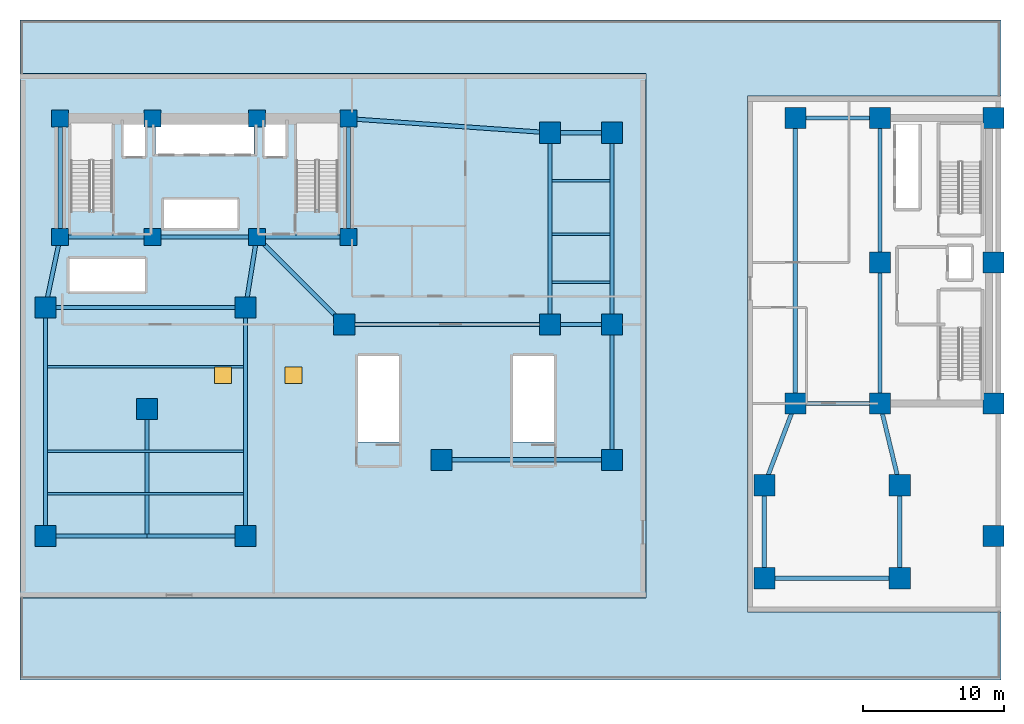
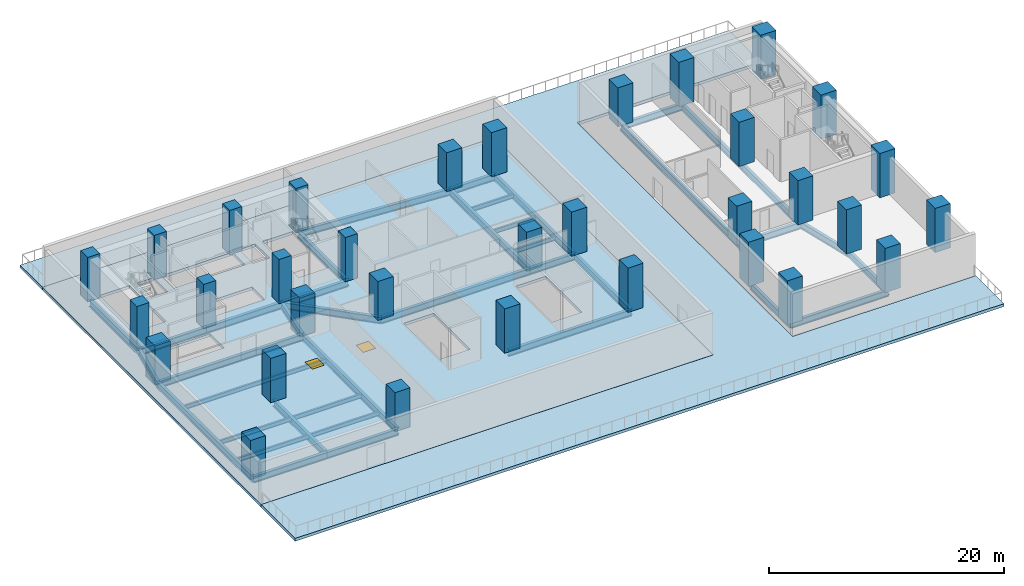
# One storey, part 1 of 9: 38 beams, 33 columns, 2 slabs, 2 windows, 2 openings.
"""IFC4 building model written with IfcOpenShell, lengths in metres."""

from ifc_helpers import new_model, si_unit, direction, frame, origin, origin_2d, place, context, subcontext, project, spatial, polyline, rectangle, i_section, outline, extrude, material, layer, layer_set, material_profile, profile_set, type_object, element, fill, save


model = new_model("IFC4")

# Units and contexts
model_context = context("Model", 3, precision=1e-05, world=origin(), true_north=direction((0.0, 1.0)))
body_context = subcontext(model_context, "Body", "Model", "MODEL_VIEW")
ifc_project = project(units=[si_unit("LENGTHUNIT", "METRE"), si_unit("AREAUNIT", "SQUARE_METRE"), si_unit("VOLUMEUNIT", "CUBIC_METRE"), si_unit("PLANEANGLEUNIT", "RADIAN"), si_unit("MASSUNIT", "GRAM", prefix="KILO")], contexts=[model_context])

# Site, building, storey
site_placement = place(None, origin())
site = spatial("IfcSite", under=ifc_project, at=site_placement, CompositionType="ELEMENT")
building_placement = place(site_placement, origin())
building = spatial("IfcBuilding", under=site, at=building_placement, Name="Kuzgunbayir Cultural Tower", CompositionType="ELEMENT")
storey_placement = place(building_placement, frame((0.0, 0.0, 21.800048828125)))
storey = spatial("IfcBuildingStorey", under=building, at=storey_placement, Name="L05", CompositionType="ELEMENT", Elevation=21.800048828125)

# Columns
ifc_material_1 = material(Name="Concrete C60/75", Category="concrete")
ifc_material_profile_1 = material_profile(ifc_material_1, rectangle(XDim=1.199951171875, YDim=1.199951171875, at=origin_2d()), Name="RC 1200x1200")
ifc_profile_set_1 = profile_set([ifc_material_profile_1], Name="Concrete C60/75")
column_type_1 = type_object("IfcColumnType", Name="COL-CORE-1200", PredefinedType="COLUMN", material=ifc_profile_set_1)
for number, where, z_axis, x_axis, name in (
    (1, (6.449951171875, 33.800048828125, 0.0), (0.0, 0.0, 1.0), (1.0, 0.0, 0.0), "L05 T1 Core Boundary Column CC1-1"),
    (2, (13.0, 33.800048828125, 0.0), (0.0, 0.0, 1.0), (1.0, 0.0, 0.0), "L05 T1 Core Boundary Column CC1-2"),
    (3, (20.39990234375, 33.800048828125, 0.0), (0.0, 0.0, 1.0), (1.0, 0.0, 0.0), "L05 T1 Core Boundary Column CC1-3"),
    (4, (26.89990234375, 33.800048828125, 0.0), (0.0, 0.0, 1.0), (1.0, 0.0, 0.0), "L05 T1 Core Boundary Column CC1-4"),
    (5, (6.449951171875, 42.199951171875, 0.0), (0.0, 0.0, 1.0), (1.0, 0.0, 0.0), "L05 T1 Core Boundary Column CC1-5"),
    (6, (13.0, 42.199951171875, 0.0), (0.0, 0.0, 1.0), (1.0, 0.0, 0.0), "L05 T1 Core Boundary Column CC1-6"),
    (7, (20.39990234375, 42.199951171875, 0.0), (0.0, 0.0, 1.0), (1.0, 0.0, 0.0), "L05 T1 Core Boundary Column CC1-7"),
    (8, (26.89990234375, 42.199951171875, 0.0), (0.0, 0.0, 1.0), (1.0, 0.0, 0.0), "L05 T1 Core Boundary Column CC1-8"),
):
    element("IfcColumn", number, at=place(storey_placement, frame(where, z_axis=z_axis, x_axis=x_axis)), inside=storey, type_object=column_type_1, Name=name, PredefinedType="COLUMN", context=body_context, shape_type="SweptSolid", body=[
        extrude(rectangle(XDim=1.199951171875, YDim=1.199951171875, at=origin_2d()), origin(), (0.0, 0.0, 1.0), 4.599853515625),
    ])
ifc_material_profile_2 = material_profile(ifc_material_1, rectangle(XDim=1.5, YDim=1.5, at=origin_2d()), Name="RC 1500x1500")
ifc_profile_set_2 = profile_set([ifc_material_profile_2], Name="Concrete C60/75")
column_type_2 = type_object("IfcColumnType", Name="COL-MEGA-1500", PredefinedType="COLUMN", material=ifc_profile_set_2)
for number, where, z_axis, x_axis, name in (
    (9, (64.60009765625, 22.0, 0.0), (0.0, 0.0, 1.0), (1.0, 0.0, 0.0), "L05 T2 Core Boundary Column CC2-1"),
    (10, (72.64990234375, 22.0, 0.0), (0.0, 0.0, 1.0), (1.0, 0.0, 0.0), "L05 T2 Core Boundary Column CC2-2"),
    (11, (64.60009765625, 32.0, 0.0), (0.0, 0.0, 1.0), (1.0, 0.0, 0.0), "L05 T2 Core Boundary Column CC2-3"),
    (12, (72.64990234375, 32.0, 0.0), (0.0, 0.0, 1.0), (1.0, 0.0, 0.0), "L05 T2 Core Boundary Column CC2-4"),
    (13, (64.60009765625, 42.25, 0.0), (0.0, 0.0, 1.0), (1.0, 0.0, 0.0), "L05 T2 Core Boundary Column CC2-5"),
    (14, (72.64990234375, 42.25, 0.0), (0.0, 0.0, 1.0), (1.0, 0.0, 0.0), "L05 T2 Core Boundary Column CC2-6"),
):
    element("IfcColumn", number, at=place(storey_placement, frame(where, z_axis=z_axis, x_axis=x_axis)), inside=storey, type_object=column_type_2, Name=name, PredefinedType="COLUMN", context=body_context, shape_type="SweptSolid", body=[
        extrude(rectangle(XDim=1.5, YDim=1.5, at=origin_2d()), origin(), (0.0, 0.0, 1.0), 4.599853515625),
    ])
for number, where, z_axis, x_axis, name in (
    (15, (5.39990234375, 12.60009765625, 0.0), (0.0, 0.0, 1.0), (1.0, 0.0, 0.0), "L05 Podium Mega-Column PC-T1A-SW"),
    (16, (19.60009765625, 12.60009765625, 0.0), (0.0, 0.0, 1.0), (1.0, 0.0, 0.0), "L05 Podium Mega-Column PC-T1A-SE"),
    (17, (5.39990234375, 28.800048828125, 0.0), (0.0, 0.0, 1.0), (1.0, 0.0, 0.0), "L05 Podium Mega-Column PC-T1A-NW"),
    (18, (19.60009765625, 28.800048828125, 0.0), (0.0, 0.0, 1.0), (1.0, 0.0, 0.0), "L05 Podium Mega-Column PC-T1A-NE"),
    (19, (26.60009765625, 27.60009765625, 0.0), (0.0, 0.0, 1.0), (1.0, 0.0, 0.0), "L05 Podium Mega-Column PC-T1B-1S"),
    (20, (41.199951171875, 27.60009765625, 0.0), (0.0, 0.0, 1.0), (1.0, 0.0, 0.0), "L05 Podium Mega-Column PC-T1B-4S"),
):
    element("IfcColumn", number, at=place(storey_placement, frame(where, z_axis=z_axis, x_axis=x_axis)), inside=storey, type_object=column_type_2, Name=name, PredefinedType="COLUMN", context=body_context, shape_type="SweptSolid", body=[
        extrude(rectangle(XDim=1.5, YDim=1.5, at=origin_2d()), origin(), (0.0, 0.0, 1.0), 4.050048828125),
    ])
column_1_placement = place(storey_placement, frame((45.60009765625, 27.60009765625, 0.0), z_axis=(0.0, 0.0, 1.0), x_axis=(1.0, 0.0, 0.0)))
element("IfcColumn", 21, at=column_1_placement, inside=storey, type_object=column_type_2, Name="L05 Podium Mega-Column PC-T1B-5S", PredefinedType="COLUMN", context=body_context, shape_type="SweptSolid", body=[
    extrude(rectangle(XDim=1.5, YDim=1.5, at=origin_2d()), origin(), (0.0, 0.0, 1.0), 4.599853515625),
])
column_2_placement = place(storey_placement, frame((41.199951171875, 41.199951171875, 0.0), z_axis=(0.0, 0.0, 1.0), x_axis=(1.0, 0.0, 0.0)))
element("IfcColumn", 22, at=column_2_placement, inside=storey, type_object=column_type_2, Name="L05 Podium Mega-Column PC-T1B-4N", PredefinedType="COLUMN", context=body_context, shape_type="SweptSolid", body=[
    extrude(rectangle(XDim=1.5, YDim=1.5, at=origin_2d()), origin(), (0.0, 0.0, 1.0), 4.050048828125),
])
column_3_placement = place(storey_placement, frame((45.60009765625, 41.199951171875, 0.0), z_axis=(0.0, 0.0, 1.0), x_axis=(1.0, 0.0, 0.0)))
element("IfcColumn", 23, at=column_3_placement, inside=storey, type_object=column_type_2, Name="L05 Podium Mega-Column PC-T1B-5N", PredefinedType="COLUMN", context=body_context, shape_type="SweptSolid", body=[
    extrude(rectangle(XDim=1.5, YDim=1.5, at=origin_2d()), origin(), (0.0, 0.0, 1.0), 4.599853515625),
])
for number, where, z_axis, x_axis, name in (
    (24, (58.60009765625, 22.0, 0.0), (0.0, 0.0, 1.0), (1.0, 0.0, 0.0), "L05 Podium Mega-Column PC-T2A-SW"),
    (25, (58.60009765625, 42.25, 0.0), (0.0, 0.0, 1.0), (1.0, 0.0, 0.0), "L05 Podium Mega-Column PC-T2A-NW"),
):
    element("IfcColumn", number, at=place(storey_placement, frame(where, z_axis=z_axis, x_axis=x_axis)), inside=storey, type_object=column_type_2, Name=name, PredefinedType="COLUMN", context=body_context, shape_type="SweptSolid", body=[
        extrude(rectangle(XDim=1.5, YDim=1.5, at=origin_2d()), origin(), (0.0, 0.0, 1.0), 4.050048828125),
    ])
for number, where, z_axis, x_axis, name in (
    (26, (56.39990234375, 9.60009765625, 0.0), (0.0, 0.0, 1.0), (1.0, 0.0, 0.0), "L05 Podium Mega-Column PC-T2B-SW"),
    (27, (66.0, 9.60009765625, 0.0), (0.0, 0.0, 1.0), (1.0, 0.0, 0.0), "L05 Podium Mega-Column PC-T2B-SE"),
    (28, (56.39990234375, 16.199951171875, 0.0), (0.0, 0.0, 1.0), (1.0, 0.0, 0.0), "L05 Podium Mega-Column PC-T2B-MW"),
    (29, (66.0, 16.199951171875, 0.0), (0.0, 0.0, 1.0), (1.0, 0.0, 0.0), "L05 Podium Mega-Column PC-T2B-ME"),
    (30, (12.60009765625, 21.60009765625, 0.0), (0.0, 0.0, 1.0), (1.0, 0.0, 0.0), "L05 Podium Mega-Column PC-P09"),
    (31, (33.5, 18.0, 0.0), (0.0, 0.0, 1.0), (1.0, 0.0, 0.0), "L05 Podium Mega-Column PC-P10"),
    (32, (45.60009765625, 18.0, 0.0), (0.0, 0.0, 1.0), (1.0, 0.0, 0.0), "L05 Podium Mega-Column PC-P11"),
    (33, (72.64990234375, 12.60009765625, 0.0), (0.0, 0.0, 1.0), (1.0, 0.0, 0.0), "L05 Podium Mega-Column PC-P12"),
):
    element("IfcColumn", number, at=place(storey_placement, frame(where, z_axis=z_axis, x_axis=x_axis)), inside=storey, type_object=column_type_2, Name=name, PredefinedType="COLUMN", context=body_context, shape_type="SweptSolid", body=[
        extrude(rectangle(XDim=1.5, YDim=1.5, at=origin_2d()), origin(), (0.0, 0.0, 1.0), 4.599853515625),
    ])

# Beams
ifc_material_2 = material(Name="Steel S355J2", Category="steel")
ifc_material_profile_3 = material_profile(ifc_material_2, i_section(OverallWidth=0.300048828125, OverallDepth=0.699951171875, WebThickness=0.01708984375, FlangeThickness=0.031982421875, FilletRadius=0.027099609375, at=origin_2d()), Name="HEB 700")
ifc_profile_set_3 = profile_set([ifc_material_profile_3], Name="Steel S355J2")
beam_type_1 = type_object("IfcBeamType", Name="BM-GIR-HEB700", PredefinedType="BEAM", material=ifc_profile_set_3)
beam_1_placement = place(storey_placement, frame((5.39990234375, 12.60009765625, -0.650146484375), z_axis=(1.0, 0.0, 0.0), x_axis=(0.0, 1.0, 0.0)))
element("IfcBeam", 34, at=beam_1_placement, inside=storey, type_object=beam_type_1, Name="L05 Podium Primary Girder 1", PredefinedType="BEAM", context=body_context, shape_type="SweptSolid", body=[
    extrude(i_section(OverallWidth=0.300048828125, OverallDepth=0.699951171875, WebThickness=0.01708984375, FlangeThickness=0.031982421875, FilletRadius=0.027099609375, at=origin_2d()), origin(), (0.0, 0.0, 1.0), 7.2001953125),
])
beam_2_placement = place(storey_placement, frame((12.60009765625, 12.60009765625, -0.650146484375), z_axis=(1.0, 0.0, 0.0), x_axis=(0.0, 1.0, 0.0)))
element("IfcBeam", 35, at=beam_2_placement, inside=storey, type_object=beam_type_1, Name="L05 Podium Primary Girder 2", PredefinedType="BEAM", context=body_context, shape_type="SweptSolid", body=[
    extrude(i_section(OverallWidth=0.300048828125, OverallDepth=0.699951171875, WebThickness=0.01708984375, FlangeThickness=0.031982421875, FilletRadius=0.027099609375, at=origin_2d()), origin(), (0.0, 0.0, 1.0), 7.0),
])
beam_3_placement = place(storey_placement, frame((5.39990234375, 28.800048828125, -0.650146484375), z_axis=(1.0, 0.0, 0.0), x_axis=(0.0, 1.0, 0.0)))
element("IfcBeam", 36, at=beam_3_placement, inside=storey, type_object=beam_type_1, Name="L05 Podium Primary Girder 3", PredefinedType="BEAM", context=body_context, shape_type="SweptSolid", body=[
    extrude(i_section(OverallWidth=0.300048828125, OverallDepth=0.699951171875, WebThickness=0.01708984375, FlangeThickness=0.031982421875, FilletRadius=0.027099609375, at=origin_2d()), origin(), (0.0, 0.0, 1.0), 14.2001953125),
])
for number, where, z_axis, x_axis, name in (
    (37, (5.39990234375, 12.60009765625, -0.650146484375), (0.0, 1.0, 0.0), (-1.0, 0.0, 0.0), "L05 Podium Primary Girder 4"),
    (38, (19.60009765625, 12.60009765625, -0.650146484375), (0.0, 1.0, 0.0), (-1.0, 0.0, 0.0), "L05 Podium Primary Girder 5"),
):
    element("IfcBeam", number, at=place(storey_placement, frame(where, z_axis=z_axis, x_axis=x_axis)), inside=storey, type_object=beam_type_1, Name=name, PredefinedType="BEAM", context=body_context, shape_type="SweptSolid", body=[
        extrude(i_section(OverallWidth=0.300048828125, OverallDepth=0.699951171875, WebThickness=0.01708984375, FlangeThickness=0.031982421875, FilletRadius=0.027099609375, at=origin_2d()), origin(), (0.0, 0.0, 1.0), 16.199951171875),
    ])
beam_4_placement = place(storey_placement, frame((12.60009765625, 12.60009765625, -0.650146484375), z_axis=(0.0, 1.0, 0.0), x_axis=(-1.0, 0.0, 0.0)))
element("IfcBeam", 39, at=beam_4_placement, inside=storey, type_object=beam_type_1, Name="L05 Podium Primary Girder 6", PredefinedType="BEAM", context=body_context, shape_type="SweptSolid", body=[
    extrude(i_section(OverallWidth=0.300048828125, OverallDepth=0.699951171875, WebThickness=0.01708984375, FlangeThickness=0.031982421875, FilletRadius=0.027099609375, at=origin_2d()), origin(), (0.0, 0.0, 1.0), 9.0),
])
beam_5_placement = place(storey_placement, frame((5.39990234375, 28.800048828125, -0.650146484375), z_axis=(0.205526387753, 0.978651574329, 0.0), x_axis=(-0.978651574329, 0.205526387753, 0.0)))
element("IfcBeam", 40, at=beam_5_placement, inside=storey, type_object=beam_type_1, Name="L05 Podium Primary Girder 7", PredefinedType="BEAM", context=body_context, shape_type="SweptSolid", body=[
    extrude(i_section(OverallWidth=0.300048828125, OverallDepth=0.699951171875, WebThickness=0.01708984375, FlangeThickness=0.031982421875, FilletRadius=0.027099609375, at=origin_2d()), origin(), (0.0, 0.0, 1.0), 5.109130859375),
])
beam_6_placement = place(storey_placement, frame((19.60009765625, 28.800048828125, -0.650146484375), z_axis=(0.157952891656, 0.987446648694, 0.0), x_axis=(-0.987446648694, 0.157952891656, 0.0)))
element("IfcBeam", 41, at=beam_6_placement, inside=storey, type_object=beam_type_1, Name="L05 Podium Primary Girder 8", PredefinedType="BEAM", context=body_context, shape_type="SweptSolid", body=[
    extrude(i_section(OverallWidth=0.300048828125, OverallDepth=0.699951171875, WebThickness=0.01708984375, FlangeThickness=0.031982421875, FilletRadius=0.027099609375, at=origin_2d()), origin(), (0.0, 0.0, 1.0), 5.0634765625),
])
beam_7_placement = place(storey_placement, frame((20.39990234375, 33.800048828125, -0.650146484375), z_axis=(0.707120702941, -0.707092859158, 0.0), x_axis=(0.707092859158, 0.707120702941, 0.0)))
element("IfcBeam", 42, at=beam_7_placement, inside=storey, type_object=beam_type_1, Name="L05 Podium Primary Girder 9", PredefinedType="BEAM", context=body_context, shape_type="SweptSolid", body=[
    extrude(i_section(OverallWidth=0.300048828125, OverallDepth=0.699951171875, WebThickness=0.01708984375, FlangeThickness=0.031982421875, FilletRadius=0.027099609375, at=origin_2d()), origin(), (0.0, 0.0, 1.0), 8.768310546875),
])
beam_8_placement = place(storey_placement, frame((26.60009765625, 27.60009765625, -0.650146484375), z_axis=(1.0, 0.0, 0.0), x_axis=(0.0, 1.0, 0.0)))
element("IfcBeam", 43, at=beam_8_placement, inside=storey, type_object=beam_type_1, Name="L05 Podium Primary Girder 10", PredefinedType="BEAM", context=body_context, shape_type="SweptSolid", body=[
    extrude(i_section(OverallWidth=0.300048828125, OverallDepth=0.699951171875, WebThickness=0.01708984375, FlangeThickness=0.031982421875, FilletRadius=0.027099609375, at=origin_2d()), origin(), (0.0, 0.0, 1.0), 14.599853515625),
])
beam_9_placement = place(storey_placement, frame((41.199951171875, 27.60009765625, -0.650146484375), z_axis=(1.0, 0.0, 0.0), x_axis=(0.0, 1.0, 0.0)))
element("IfcBeam", 44, at=beam_9_placement, inside=storey, type_object=beam_type_1, Name="L05 Podium Primary Girder 11", PredefinedType="BEAM", context=body_context, shape_type="SweptSolid", body=[
    extrude(i_section(OverallWidth=0.300048828125, OverallDepth=0.699951171875, WebThickness=0.01708984375, FlangeThickness=0.031982421875, FilletRadius=0.027099609375, at=origin_2d()), origin(), (0.0, 0.0, 1.0), 4.400146484375),
])
beam_10_placement = place(storey_placement, frame((26.89990234375, 42.199951171875, -0.650146484375), z_axis=(0.997563840671, -0.06975947094, 0.0), x_axis=(0.06975947094, 0.997563840671, 0.0)))
element("IfcBeam", 45, at=beam_10_placement, inside=storey, type_object=beam_type_1, Name="L05 Podium Primary Girder 12", PredefinedType="BEAM", context=body_context, shape_type="SweptSolid", body=[
    extrude(i_section(OverallWidth=0.300048828125, OverallDepth=0.699951171875, WebThickness=0.01708984375, FlangeThickness=0.031982421875, FilletRadius=0.027099609375, at=origin_2d()), origin(), (0.0, 0.0, 1.0), 14.3349609375),
])
beam_11_placement = place(storey_placement, frame((41.199951171875, 41.199951171875, -0.650146484375), z_axis=(1.0, 0.0, 0.0), x_axis=(0.0, 1.0, 0.0)))
element("IfcBeam", 46, at=beam_11_placement, inside=storey, type_object=beam_type_1, Name="L05 Podium Primary Girder 13", PredefinedType="BEAM", context=body_context, shape_type="SweptSolid", body=[
    extrude(i_section(OverallWidth=0.300048828125, OverallDepth=0.699951171875, WebThickness=0.01708984375, FlangeThickness=0.031982421875, FilletRadius=0.027099609375, at=origin_2d()), origin(), (0.0, 0.0, 1.0), 4.400146484375),
])
for number, where, z_axis, x_axis, name in (
    (47, (41.199951171875, 27.60009765625, -0.650146484375), (0.0, 1.0, 0.0), (-1.0, 0.0, 0.0), "L05 Podium Primary Girder 14"),
    (48, (45.60009765625, 27.60009765625, -0.650146484375), (0.0, 1.0, 0.0), (-1.0, 0.0, 0.0), "L05 Podium Primary Girder 15"),
):
    element("IfcBeam", number, at=place(storey_placement, frame(where, z_axis=z_axis, x_axis=x_axis)), inside=storey, type_object=beam_type_1, Name=name, PredefinedType="BEAM", context=body_context, shape_type="SweptSolid", body=[
        extrude(i_section(OverallWidth=0.300048828125, OverallDepth=0.699951171875, WebThickness=0.01708984375, FlangeThickness=0.031982421875, FilletRadius=0.027099609375, at=origin_2d()), origin(), (0.0, 0.0, 1.0), 13.599853515625),
    ])
beam_12_placement = place(storey_placement, frame((33.5, 18.0, -0.650146484375), z_axis=(1.0, 0.0, 0.0), x_axis=(0.0, 1.0, 0.0)))
element("IfcBeam", 49, at=beam_12_placement, inside=storey, type_object=beam_type_1, Name="L05 Podium Primary Girder 16", PredefinedType="BEAM", context=body_context, shape_type="SweptSolid", body=[
    extrude(i_section(OverallWidth=0.300048828125, OverallDepth=0.699951171875, WebThickness=0.01708984375, FlangeThickness=0.031982421875, FilletRadius=0.027099609375, at=origin_2d()), origin(), (0.0, 0.0, 1.0), 12.10009765625),
])
for number, where, z_axis, x_axis, name in (
    (50, (45.60009765625, 18.0, -0.650146484375), (0.0, 1.0, 0.0), (-1.0, 0.0, 0.0), "L05 Podium Primary Girder 17"),
    (51, (56.39990234375, 9.60009765625, -0.650146484375), (1.0, 0.0, 0.0), (0.0, 1.0, 0.0), "L05 Podium Primary Girder 18"),
):
    element("IfcBeam", number, at=place(storey_placement, frame(where, z_axis=z_axis, x_axis=x_axis)), inside=storey, type_object=beam_type_1, Name=name, PredefinedType="BEAM", context=body_context, shape_type="SweptSolid", body=[
        extrude(i_section(OverallWidth=0.300048828125, OverallDepth=0.699951171875, WebThickness=0.01708984375, FlangeThickness=0.031982421875, FilletRadius=0.027099609375, at=origin_2d()), origin(), (0.0, 0.0, 1.0), 9.60009765625),
    ])
beam_13_placement = place(storey_placement, frame((56.39990234375, 9.60009765625, -0.650146484375), z_axis=(0.0, 1.0, 0.0), x_axis=(-1.0, 0.0, 0.0)))
element("IfcBeam", 52, at=beam_13_placement, inside=storey, type_object=beam_type_1, Name="L05 Podium Primary Girder 19", PredefinedType="BEAM", context=body_context, shape_type="SweptSolid", body=[
    extrude(i_section(OverallWidth=0.300048828125, OverallDepth=0.699951171875, WebThickness=0.01708984375, FlangeThickness=0.031982421875, FilletRadius=0.027099609375, at=origin_2d()), origin(), (0.0, 0.0, 1.0), 6.599853515625),
])
beam_14_placement = place(storey_placement, frame((56.39990234375, 16.199951171875, -0.650146484375), z_axis=(0.354679148754, 0.93498807556, 0.0), x_axis=(-0.93498807556, 0.354679148754, 0.0)))
element("IfcBeam", 53, at=beam_14_placement, inside=storey, type_object=beam_type_1, Name="L05 Podium Primary Girder 20", PredefinedType="BEAM", context=body_context, shape_type="SweptSolid", body=[
    extrude(i_section(OverallWidth=0.300048828125, OverallDepth=0.699951171875, WebThickness=0.01708984375, FlangeThickness=0.031982421875, FilletRadius=0.027099609375, at=origin_2d()), origin(), (0.0, 0.0, 1.0), 6.203369140625),
])
beam_15_placement = place(storey_placement, frame((66.0, 9.60009765625, -0.650146484375), z_axis=(0.0, 1.0, 0.0), x_axis=(-1.0, 0.0, 0.0)))
element("IfcBeam", 54, at=beam_15_placement, inside=storey, type_object=beam_type_1, Name="L05 Podium Primary Girder 21", PredefinedType="BEAM", context=body_context, shape_type="SweptSolid", body=[
    extrude(i_section(OverallWidth=0.300048828125, OverallDepth=0.699951171875, WebThickness=0.01708984375, FlangeThickness=0.031982421875, FilletRadius=0.027099609375, at=origin_2d()), origin(), (0.0, 0.0, 1.0), 6.599853515625),
])
beam_16_placement = place(storey_placement, frame((66.0, 16.199951171875, -0.650146484375), z_axis=(-0.234623200431, 0.972086392158, 0.0), x_axis=(-0.972086392158, -0.234623200431, 0.0)))
element("IfcBeam", 55, at=beam_16_placement, inside=storey, type_object=beam_type_1, Name="L05 Podium Primary Girder 22", PredefinedType="BEAM", context=body_context, shape_type="SweptSolid", body=[
    extrude(i_section(OverallWidth=0.300048828125, OverallDepth=0.699951171875, WebThickness=0.01708984375, FlangeThickness=0.031982421875, FilletRadius=0.027099609375, at=origin_2d()), origin(), (0.0, 0.0, 1.0), 5.966552734375),
])
for number, where, z_axis, x_axis, name in (
    (56, (58.60009765625, 22.0, -0.650146484375), (1.0, 0.0, 0.0), (0.0, 1.0, 0.0), "L05 Podium Primary Girder 23"),
    (57, (58.60009765625, 42.25, -0.650146484375), (1.0, 0.0, 0.0), (0.0, 1.0, 0.0), "L05 Podium Primary Girder 24"),
):
    element("IfcBeam", number, at=place(storey_placement, frame(where, z_axis=z_axis, x_axis=x_axis)), inside=storey, type_object=beam_type_1, Name=name, PredefinedType="BEAM", context=body_context, shape_type="SweptSolid", body=[
        extrude(i_section(OverallWidth=0.300048828125, OverallDepth=0.699951171875, WebThickness=0.01708984375, FlangeThickness=0.031982421875, FilletRadius=0.027099609375, at=origin_2d()), origin(), (0.0, 0.0, 1.0), 6.0),
    ])
beam_17_placement = place(storey_placement, frame((58.60009765625, 22.0, -0.650146484375), z_axis=(0.0, 1.0, 0.0), x_axis=(-1.0, 0.0, 0.0)))
element("IfcBeam", 58, at=beam_17_placement, inside=storey, type_object=beam_type_1, Name="L05 Podium Primary Girder 25", PredefinedType="BEAM", context=body_context, shape_type="SweptSolid", body=[
    extrude(i_section(OverallWidth=0.300048828125, OverallDepth=0.699951171875, WebThickness=0.01708984375, FlangeThickness=0.031982421875, FilletRadius=0.027099609375, at=origin_2d()), origin(), (0.0, 0.0, 1.0), 20.25),
])
beam_18_placement = place(storey_placement, frame((64.60009765625, 22.0, -0.650146484375), z_axis=(0.0, 1.0, 0.0), x_axis=(-1.0, 0.0, 0.0)))
element("IfcBeam", 59, at=beam_18_placement, inside=storey, type_object=beam_type_1, Name="L05 Podium Primary Girder 26", PredefinedType="BEAM", context=body_context, shape_type="SweptSolid", body=[
    extrude(i_section(OverallWidth=0.300048828125, OverallDepth=0.699951171875, WebThickness=0.01708984375, FlangeThickness=0.031982421875, FilletRadius=0.027099609375, at=origin_2d()), origin(), (0.0, 0.0, 1.0), 10.0),
])
beam_19_placement = place(storey_placement, frame((64.60009765625, 32.0, -0.650146484375), z_axis=(0.0, 1.0, 0.0), x_axis=(-1.0, 0.0, 0.0)))
element("IfcBeam", 60, at=beam_19_placement, inside=storey, type_object=beam_type_1, Name="L05 Podium Primary Girder 27", PredefinedType="BEAM", context=body_context, shape_type="SweptSolid", body=[
    extrude(i_section(OverallWidth=0.300048828125, OverallDepth=0.699951171875, WebThickness=0.01708984375, FlangeThickness=0.031982421875, FilletRadius=0.027099609375, at=origin_2d()), origin(), (0.0, 0.0, 1.0), 10.25),
])
beam_20_placement = place(storey_placement, frame((6.449951171875, 33.800048828125, -0.650146484375), z_axis=(1.0, 0.0, 0.0), x_axis=(0.0, 1.0, 0.0)))
element("IfcBeam", 61, at=beam_20_placement, inside=storey, type_object=beam_type_1, Name="L05 Podium Primary Girder 28", PredefinedType="BEAM", context=body_context, shape_type="SweptSolid", body=[
    extrude(i_section(OverallWidth=0.300048828125, OverallDepth=0.699951171875, WebThickness=0.01708984375, FlangeThickness=0.031982421875, FilletRadius=0.027099609375, at=origin_2d()), origin(), (0.0, 0.0, 1.0), 6.550048828125),
])
beam_21_placement = place(storey_placement, frame((13.0, 33.800048828125, -0.650146484375), z_axis=(1.0, 0.0, 0.0), x_axis=(0.0, 1.0, 0.0)))
element("IfcBeam", 62, at=beam_21_placement, inside=storey, type_object=beam_type_1, Name="L05 Podium Primary Girder 29", PredefinedType="BEAM", context=body_context, shape_type="SweptSolid", body=[
    extrude(i_section(OverallWidth=0.300048828125, OverallDepth=0.699951171875, WebThickness=0.01708984375, FlangeThickness=0.031982421875, FilletRadius=0.027099609375, at=origin_2d()), origin(), (0.0, 0.0, 1.0), 7.39990234375),
])
beam_22_placement = place(storey_placement, frame((20.39990234375, 33.800048828125, -0.650146484375), z_axis=(1.0, 0.0, 0.0), x_axis=(0.0, 1.0, 0.0)))
element("IfcBeam", 63, at=beam_22_placement, inside=storey, type_object=beam_type_1, Name="L05 Podium Primary Girder 30", PredefinedType="BEAM", context=body_context, shape_type="SweptSolid", body=[
    extrude(i_section(OverallWidth=0.300048828125, OverallDepth=0.699951171875, WebThickness=0.01708984375, FlangeThickness=0.031982421875, FilletRadius=0.027099609375, at=origin_2d()), origin(), (0.0, 0.0, 1.0), 6.5),
])
for number, where, z_axis, x_axis, name in (
    (64, (6.449951171875, 33.800048828125, -0.650146484375), (0.0, 1.0, 0.0), (-1.0, 0.0, 0.0), "L05 Podium Primary Girder 31"),
    (65, (26.89990234375, 33.800048828125, -0.650146484375), (0.0, 1.0, 0.0), (-1.0, 0.0, 0.0), "L05 Podium Primary Girder 32"),
):
    element("IfcBeam", number, at=place(storey_placement, frame(where, z_axis=z_axis, x_axis=x_axis)), inside=storey, type_object=beam_type_1, Name=name, PredefinedType="BEAM", context=body_context, shape_type="SweptSolid", body=[
        extrude(i_section(OverallWidth=0.300048828125, OverallDepth=0.699951171875, WebThickness=0.01708984375, FlangeThickness=0.031982421875, FilletRadius=0.027099609375, at=origin_2d()), origin(), (0.0, 0.0, 1.0), 8.39990234375),
    ])
ifc_material_profile_4 = material_profile(ifc_material_2, i_section(OverallWidth=0.18994140625, OverallDepth=0.449951171875, WebThickness=0.009521484375, FlangeThickness=0.0146484375, FilletRadius=0.02099609375, at=origin_2d()), Name="IPE 450")
ifc_profile_set_4 = profile_set([ifc_material_profile_4], Name="Steel S355J2")
beam_type_2 = type_object("IfcBeamType", Name="BM-JST-IPE450", PredefinedType="JOIST", material=ifc_profile_set_4)
for number, where, z_axis, x_axis, name in (
    (66, (5.550048828125, 15.60009765625, -0.530029296875), (1.0, 0.0, 0.0), (0.0, 1.0, 0.0), "L05 Podium Joist A"),
    (67, (5.550048828125, 18.60009765625, -0.530029296875), (1.0, 0.0, 0.0), (0.0, 1.0, 0.0), "L05 Podium Joist A"),
    (68, (5.550048828125, 24.60009765625, -0.530029296875), (1.0, 0.0, 0.0), (0.0, 1.0, 0.0), "L05 Podium Joist A"),
):
    element("IfcBeam", number, at=place(storey_placement, frame(where, z_axis=z_axis, x_axis=x_axis)), inside=storey, type_object=beam_type_2, Name=name, PredefinedType="JOIST", context=body_context, shape_type="SweptSolid", body=[
        extrude(i_section(OverallWidth=0.18994140625, OverallDepth=0.449951171875, WebThickness=0.009521484375, FlangeThickness=0.0146484375, FilletRadius=0.02099609375, at=origin_2d()), origin(), (0.0, 0.0, 1.0), 13.89990234375),
    ])
for number, where, z_axis, x_axis, name in (
    (69, (41.35009765625, 30.60009765625, -0.530029296875), (1.0, 0.0, 0.0), (0.0, 1.0, 0.0), "L05 Podium Joist B"),
    (70, (41.35009765625, 34.0, -0.530029296875), (1.0, 0.0, 0.0), (0.0, 1.0, 0.0), "L05 Podium Joist B"),
    (71, (41.35009765625, 37.800048828125, -0.530029296875), (1.0, 0.0, 0.0), (0.0, 1.0, 0.0), "L05 Podium Joist B"),
):
    element("IfcBeam", number, at=place(storey_placement, frame(where, z_axis=z_axis, x_axis=x_axis)), inside=storey, type_object=beam_type_2, Name=name, PredefinedType="JOIST", context=body_context, shape_type="SweptSolid", body=[
        extrude(i_section(OverallWidth=0.18994140625, OverallDepth=0.449951171875, WebThickness=0.009521484375, FlangeThickness=0.0146484375, FilletRadius=0.02099609375, at=origin_2d()), origin(), (0.0, 0.0, 1.0), 4.099853515625),
    ])

# Slab
ifc_material_3 = material(Name="Concrete C40/50", Category="concrete")
ifc_layer_1 = layer(ifc_material_3, 0.300048828125)
ifc_layer_set_1 = layer_set([ifc_layer_1], Name="Concrete C40/50")
slab_type_1 = type_object("IfcSlabType", Name="SLB-GARDEN-300", PredefinedType="FLOOR", material=ifc_layer_set_1)
slab_1_placement = place(storey_placement, frame((0.0, 0.0, -0.300048828125)))
element("IfcSlab", 72, at=slab_1_placement, inside=storey, type_object=slab_type_1, Name="L05 Raised Botanical Garden Terrace", PredefinedType="FLOOR", context=body_context, shape_type="SweptSolid", body=[
    extrude(outline(polyline([(3.60009765625, 2.39990234375), (73.199951171875, 2.39990234375), (73.199951171875, 7.199951171875), (55.199951171875, 7.199951171875), (55.199951171875, 43.800048828125), (73.199951171875, 43.800048828125), (73.199951171875, 49.199951171875), (3.60009765625, 49.199951171875), (3.60009765625, 45.39990234375), (48.0, 45.39990234375), (48.0, 8.199951171875), (3.60009765625, 8.199951171875), (3.60009765625, 2.39990234375)])), origin(), (0.0, 0.0, 1.0), 0.300048828125),
])

# Slab, openings, windows
ifc_layer_2 = layer(ifc_material_3, 0.300048828125)
ifc_layer_set_2 = layer_set([ifc_layer_2], Name="Concrete C40/50")
slab_type_2 = type_object("IfcSlabType", Name="SLB-POD-300", PredefinedType="FLOOR", material=ifc_layer_set_2)
slab_2_placement = place(storey_placement, frame((0.0, 0.0, -0.300048828125)))
slab_2 = element("IfcSlab", 73, at=slab_2_placement, inside=storey, type_object=slab_type_2, Name="L05 Podium Structural Floor Slab", PredefinedType="FLOOR", context=body_context, shape_type="SweptSolid", body=[
    extrude(outline(polyline([(3.60009765625, 8.199951171875), (48.0, 8.199951171875), (48.0, 45.39990234375), (3.60009765625, 45.39990234375), (3.60009765625, 8.199951171875)]), holes=[polyline([(7.199951171875, 35.760009765625), (7.199951171875, 41.89990234375), (10.159912109375, 41.89990234375), (10.159912109375, 35.760009765625), (7.199951171875, 35.760009765625)]), polyline([(23.199951171875, 35.760009765625), (23.199951171875, 41.89990234375), (26.159912109375, 41.89990234375), (26.159912109375, 35.760009765625), (23.199951171875, 35.760009765625)]), polyline([(27.5400390625, 19.260009765625), (27.5400390625, 25.39990234375), (30.5, 25.39990234375), (30.5, 19.260009765625), (27.5400390625, 19.260009765625)]), polyline([(38.5400390625, 19.260009765625), (38.5400390625, 25.39990234375), (41.5, 25.39990234375), (41.5, 19.260009765625), (38.5400390625, 19.260009765625)]), polyline([(13.199951171875, 39.699951171875), (13.199951171875, 41.800048828125), (20.199951171875, 41.800048828125), (20.199951171875, 39.699951171875), (13.199951171875, 39.699951171875)]), polyline([(13.75, 34.39990234375), (13.75, 36.5), (19.080078125, 36.5), (19.080078125, 34.39990234375), (13.75, 34.39990234375)]), polyline([(7.10009765625, 29.89990234375), (7.10009765625, 32.300048828125), (12.5, 32.300048828125), (12.5, 29.89990234375), (7.10009765625, 29.89990234375)]), polyline([(10.89990234375, 39.5), (10.89990234375, 41.89990234375), (12.5, 41.89990234375), (12.5, 39.5), (10.89990234375, 39.5)]), polyline([(20.89990234375, 39.5), (20.89990234375, 41.89990234375), (22.5, 41.89990234375), (22.5, 39.5), (20.89990234375, 39.5)])]), origin(), (0.0, 0.0, 1.0), 0.300048828125),
])
opening_1_placement = place(slab_2_placement, frame((18.0, 24.0, 0.0)))
opening_1 = element("IfcOpeningElement", 74, at=opening_1_placement, cuts=slab_2, Name="Opening RH-12", PredefinedType="OPENING", context=body_context, shape_type="SweptSolid", body=[
    extrude(rectangle(XDim=1.199951171875, YDim=1.199951171875, at=origin_2d()), origin(), (0.0, 0.0, 1.0), 0.300048828125),
])
opening_2_placement = place(slab_2_placement, frame((23.0, 24.0, 0.0)))
opening_2 = element("IfcOpeningElement", 75, at=opening_2_placement, cuts=slab_2, Name="Opening RH-12", PredefinedType="OPENING", context=body_context, shape_type="SweptSolid", body=[
    extrude(rectangle(XDim=1.199951171875, YDim=1.199951171875, at=origin_2d()), origin(), (0.0, 0.0, 1.0), 0.300048828125),
])
ifc_material_4 = material(Name="Solar-Control Triple Glazing", Category="glass")
window_type = type_object("IfcWindowType", Name="WIN-HATCH-5", PartitioningType="SINGLE_PANEL", PredefinedType="SKYLIGHT", material=ifc_material_4)
window_1_placement = place(opening_1_placement, frame((0.0, 0.0, 0.25)))
window_1 = element("IfcWindow", 76, at=window_1_placement, inside=storey, type_object=window_type, Name="L05 Botanical Pavilion West Roof Lantern", OverallHeight=1.199951171875, OverallWidth=1.199951171875, PartitioningType="SINGLE_PANEL", PredefinedType="SKYLIGHT", context=body_context, shape_type="SweptSolid", body=[
    extrude(rectangle(XDim=1.199951171875, YDim=1.199951171875, at=origin_2d()), origin(), (0.0, 0.0, 1.0), 0.050048828125),
])
fill(opening_1, window_1)
window_2_placement = place(opening_2_placement, frame((0.0, 0.0, 0.25)))
window_2 = element("IfcWindow", 77, at=window_2_placement, inside=storey, type_object=window_type, Name="L05 Botanical Pavilion East Roof Lantern", OverallHeight=1.199951171875, OverallWidth=1.199951171875, PartitioningType="SINGLE_PANEL", PredefinedType="SKYLIGHT", context=body_context, shape_type="SweptSolid", body=[
    extrude(rectangle(XDim=1.199951171875, YDim=1.199951171875, at=origin_2d()), origin(), (0.0, 0.0, 1.0), 0.050048828125),
])
fill(opening_2, window_2)

save(model, "model.ifc")
